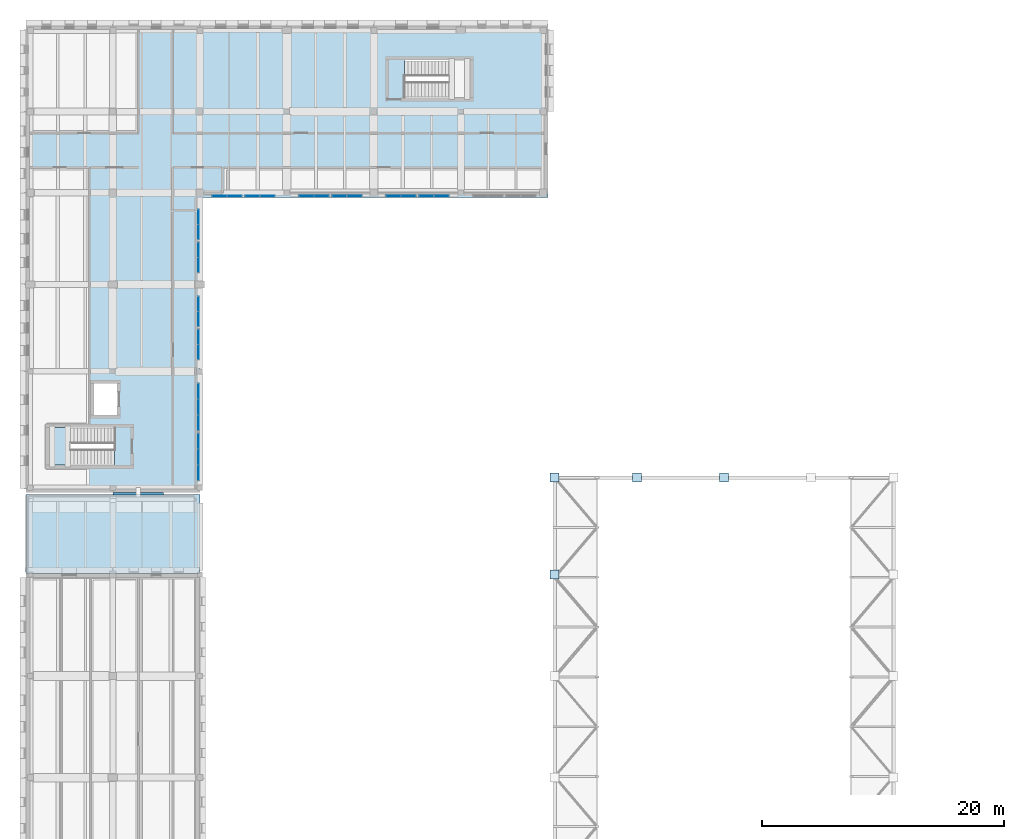
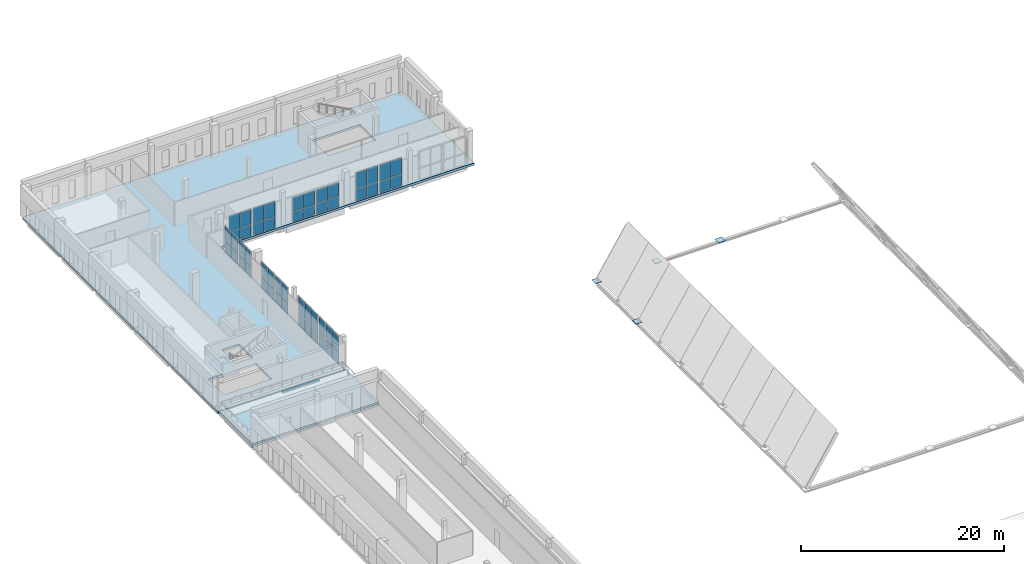
# One storey, part 31 of 56: 56 plates, 5 slabs, 13 elements without a shape of their own.
"""IFC4 building model written with IfcOpenShell, lengths in metres."""

from ifc_helpers import new_model, si_unit, direction, frame, origin, origin_2d, place, context, subcontext, project, spatial, polyline, rectangle, outline, extrude, material, layer, layer_set, type_object, element, aggregate, save


model = new_model("IFC4")

# Units and contexts
model_context = context("Model", 3, precision=1e-05, world=origin(), true_north=direction((0.0, 1.0)))
body_context = subcontext(model_context, "Body", "Model", "MODEL_VIEW")
ifc_project = project(units=[si_unit("LENGTHUNIT", "METRE"), si_unit("AREAUNIT", "SQUARE_METRE"), si_unit("VOLUMEUNIT", "CUBIC_METRE"), si_unit("PLANEANGLEUNIT", "RADIAN"), si_unit("MASSUNIT", "GRAM", prefix="KILO")], contexts=[model_context])

# Site, building, storey
site_placement = place(None, origin())
site = spatial("IfcSite", under=ifc_project, at=site_placement, CompositionType="ELEMENT")
building_placement = place(site_placement, origin())
building = spatial("IfcBuilding", under=site, at=building_placement, Name="Vardoun Plaza Health Centre", CompositionType="ELEMENT")
storey_placement = place(building_placement, frame((0.0, 0.0, 8.699951171875)))
storey = spatial("IfcBuildingStorey", under=building, at=storey_placement, Name="L02", CompositionType="ELEMENT", Elevation=8.699951171875)

# Curtain wall, plates
ifc_material_1 = material(Name="Aluminium Alloy EN AW-6063-T6 and Low-E Glass", Category="aluminium")
ifc_layer_1 = layer(ifc_material_1, 0.159912109375)
ifc_layer_set_1 = layer_set([ifc_layer_1], Name="Aluminium Alloy EN AW-6063-T6 and Low-E Glass")
curtain_wall_type = type_object("IfcCurtainWallType", Name="CW-02", PredefinedType="USERDEFINED", material=ifc_layer_set_1)
curtain_wall_1_placement = place(storey_placement, origin())
curtain_wall_1 = element("IfcCurtainWall", 1, at=curtain_wall_1_placement, inside=storey, type_object=curtain_wall_type, Name="Curtain Wall CW-V3-075", ObjectType="COURTYARD_CURTAIN_WALL", PredefinedType="USERDEFINED")
ifc_material_2 = material(Name="Solar-Control Double Low-E Glazing", Category="glass")
ifc_layer_2 = layer(ifc_material_2, 0.028076171875)
ifc_layer_set_2 = layer_set([ifc_layer_2], Name="Solar-Control Double Low-E Glazing")
plate_type_1 = type_object("IfcPlateType", Name="CW-P1", PredefinedType="CURTAIN_PANEL", material=ifc_layer_set_2)
plate_1_placement = place(storey_placement, frame((38.885009765625, 101.219970703125, 0.06005859375), z_axis=(0.0, 0.0, 1.0), x_axis=(-1.0, 0.0, 0.0)))
plate_1 = element("IfcPlate", 2, at=plate_1_placement, type_object=plate_type_1, Name="CW-V3-075 panel 1.1", PredefinedType="CURTAIN_PANEL", context=body_context, shape_type="SweptSolid", body=[
    extrude(rectangle(XDim=1.18994140625, YDim=0.028076171875, at=origin_2d()), origin(), (0.0, 0.0, 1.0), 1.367431640625),
])
plate_2_placement = place(storey_placement, frame((38.885009765625, 101.219970703125, 1.4873046875), z_axis=(0.0, 0.0, 1.0), x_axis=(-1.0, 0.0, 0.0)))
plate_2 = element("IfcPlate", 3, at=plate_2_placement, type_object=plate_type_1, Name="CW-V3-075 panel 1.2", PredefinedType="CURTAIN_PANEL", context=body_context, shape_type="SweptSolid", body=[
    extrude(rectangle(XDim=1.18994140625, YDim=0.028076171875, at=origin_2d()), origin(), (0.0, 0.0, 1.0), 1.922607421875),
])
plate_3_placement = place(storey_placement, frame((37.635009765625, 101.219970703125, 0.06005859375), z_axis=(0.0, 0.0, 1.0), x_axis=(-1.0, 0.0, 0.0)))
plate_3 = element("IfcPlate", 4, at=plate_3_placement, type_object=plate_type_1, Name="CW-V3-075 panel 2.1", PredefinedType="CURTAIN_PANEL", context=body_context, shape_type="SweptSolid", body=[
    extrude(rectangle(XDim=1.18994140625, YDim=0.028076171875, at=origin_2d()), origin(), (0.0, 0.0, 1.0), 1.367431640625),
])
plate_4_placement = place(storey_placement, frame((37.635009765625, 101.219970703125, 1.4873046875), z_axis=(0.0, 0.0, 1.0), x_axis=(-1.0, 0.0, 0.0)))
plate_4 = element("IfcPlate", 5, at=plate_4_placement, type_object=plate_type_1, Name="CW-V3-075 panel 2.2", PredefinedType="CURTAIN_PANEL", context=body_context, shape_type="SweptSolid", body=[
    extrude(rectangle(XDim=1.18994140625, YDim=0.028076171875, at=origin_2d()), origin(), (0.0, 0.0, 1.0), 1.922607421875),
])
aggregate(curtain_wall_1, [plate_1, plate_2, plate_3, plate_4])

curtain_wall_2_placement = place(storey_placement, origin())
curtain_wall_2 = element("IfcCurtainWall", 6, at=curtain_wall_2_placement, inside=storey, type_object=curtain_wall_type, Name="Curtain Wall CW-V3-076", ObjectType="COURTYARD_CURTAIN_WALL", PredefinedType="USERDEFINED")
plate_5_placement = place(storey_placement, frame((36.1650390625, 101.219970703125, 0.06005859375), z_axis=(0.0, 0.0, 1.0), x_axis=(-1.0, 0.0, 0.0)))
plate_5 = element("IfcPlate", 7, at=plate_5_placement, type_object=plate_type_1, Name="CW-V3-076 panel 1.1", PredefinedType="CURTAIN_PANEL", context=body_context, shape_type="SweptSolid", body=[
    extrude(rectangle(XDim=1.18994140625, YDim=0.028076171875, at=origin_2d()), origin(), (0.0, 0.0, 1.0), 1.367431640625),
])
plate_6_placement = place(storey_placement, frame((36.1650390625, 101.219970703125, 1.4873046875), z_axis=(0.0, 0.0, 1.0), x_axis=(-1.0, 0.0, 0.0)))
plate_6 = element("IfcPlate", 8, at=plate_6_placement, type_object=plate_type_1, Name="CW-V3-076 panel 1.2", PredefinedType="CURTAIN_PANEL", context=body_context, shape_type="SweptSolid", body=[
    extrude(rectangle(XDim=1.18994140625, YDim=0.028076171875, at=origin_2d()), origin(), (0.0, 0.0, 1.0), 1.922607421875),
])
plate_7_placement = place(storey_placement, frame((34.9150390625, 101.219970703125, 0.06005859375), z_axis=(0.0, 0.0, 1.0), x_axis=(-1.0, 0.0, 0.0)))
plate_7 = element("IfcPlate", 9, at=plate_7_placement, type_object=plate_type_1, Name="CW-V3-076 panel 2.1", PredefinedType="CURTAIN_PANEL", context=body_context, shape_type="SweptSolid", body=[
    extrude(rectangle(XDim=1.18994140625, YDim=0.028076171875, at=origin_2d()), origin(), (0.0, 0.0, 1.0), 1.367431640625),
])
plate_8_placement = place(storey_placement, frame((34.9150390625, 101.219970703125, 1.4873046875), z_axis=(0.0, 0.0, 1.0), x_axis=(-1.0, 0.0, 0.0)))
plate_8 = element("IfcPlate", 10, at=plate_8_placement, type_object=plate_type_1, Name="CW-V3-076 panel 2.2", PredefinedType="CURTAIN_PANEL", context=body_context, shape_type="SweptSolid", body=[
    extrude(rectangle(XDim=1.18994140625, YDim=0.028076171875, at=origin_2d()), origin(), (0.0, 0.0, 1.0), 1.922607421875),
])
aggregate(curtain_wall_2, [plate_5, plate_6, plate_7, plate_8])

curtain_wall_3_placement = place(storey_placement, origin())
curtain_wall_3 = element("IfcCurtainWall", 11, at=curtain_wall_3_placement, inside=storey, type_object=curtain_wall_type, Name="Curtain Wall CW-V3-077", ObjectType="COURTYARD_CURTAIN_WALL", PredefinedType="USERDEFINED")
plate_9_placement = place(storey_placement, frame((31.68505859375, 101.219970703125, 0.06005859375), z_axis=(0.0, 0.0, 1.0), x_axis=(-1.0, 0.0, 0.0)))
plate_9 = element("IfcPlate", 12, at=plate_9_placement, type_object=plate_type_1, Name="CW-V3-077 panel 1.1", PredefinedType="CURTAIN_PANEL", context=body_context, shape_type="SweptSolid", body=[
    extrude(rectangle(XDim=1.18994140625, YDim=0.028076171875, at=origin_2d()), origin(), (0.0, 0.0, 1.0), 1.157470703125),
])
plate_10_placement = place(storey_placement, frame((31.68505859375, 101.219970703125, 1.27734375), z_axis=(0.0, 0.0, 1.0), x_axis=(-1.0, 0.0, 0.0)))
plate_10 = element("IfcPlate", 13, at=plate_10_placement, type_object=plate_type_1, Name="CW-V3-077 panel 1.2", PredefinedType="CURTAIN_PANEL", context=body_context, shape_type="SweptSolid", body=[
    extrude(rectangle(XDim=1.18994140625, YDim=0.028076171875, at=origin_2d()), origin(), (0.0, 0.0, 1.0), 1.632568359375),
])
plate_11_placement = place(storey_placement, frame((30.43505859375, 101.219970703125, 0.06005859375), z_axis=(0.0, 0.0, 1.0), x_axis=(-1.0, 0.0, 0.0)))
plate_11 = element("IfcPlate", 14, at=plate_11_placement, type_object=plate_type_1, Name="CW-V3-077 panel 2.1", PredefinedType="CURTAIN_PANEL", context=body_context, shape_type="SweptSolid", body=[
    extrude(rectangle(XDim=1.18994140625, YDim=0.028076171875, at=origin_2d()), origin(), (0.0, 0.0, 1.0), 1.157470703125),
])
plate_12_placement = place(storey_placement, frame((30.43505859375, 101.219970703125, 1.27734375), z_axis=(0.0, 0.0, 1.0), x_axis=(-1.0, 0.0, 0.0)))
plate_12 = element("IfcPlate", 15, at=plate_12_placement, type_object=plate_type_1, Name="CW-V3-077 panel 2.2", PredefinedType="CURTAIN_PANEL", context=body_context, shape_type="SweptSolid", body=[
    extrude(rectangle(XDim=1.18994140625, YDim=0.028076171875, at=origin_2d()), origin(), (0.0, 0.0, 1.0), 1.632568359375),
])
aggregate(curtain_wall_3, [plate_9, plate_10, plate_11, plate_12])

curtain_wall_4_placement = place(storey_placement, origin())
curtain_wall_4 = element("IfcCurtainWall", 16, at=curtain_wall_4_placement, inside=storey, type_object=curtain_wall_type, Name="Curtain Wall CW-V3-078", ObjectType="COURTYARD_CURTAIN_WALL", PredefinedType="USERDEFINED")
plate_13_placement = place(storey_placement, frame((28.965087890625, 101.219970703125, 0.06005859375), z_axis=(0.0, 0.0, 1.0), x_axis=(-1.0, 0.0, 0.0)))
plate_13 = element("IfcPlate", 17, at=plate_13_placement, type_object=plate_type_1, Name="CW-V3-078 panel 1.1", PredefinedType="CURTAIN_PANEL", context=body_context, shape_type="SweptSolid", body=[
    extrude(rectangle(XDim=1.18994140625, YDim=0.028076171875, at=origin_2d()), origin(), (0.0, 0.0, 1.0), 1.157470703125),
])
plate_14_placement = place(storey_placement, frame((28.965087890625, 101.219970703125, 1.27734375), z_axis=(0.0, 0.0, 1.0), x_axis=(-1.0, 0.0, 0.0)))
plate_14 = element("IfcPlate", 18, at=plate_14_placement, type_object=plate_type_1, Name="CW-V3-078 panel 1.2", PredefinedType="CURTAIN_PANEL", context=body_context, shape_type="SweptSolid", body=[
    extrude(rectangle(XDim=1.18994140625, YDim=0.028076171875, at=origin_2d()), origin(), (0.0, 0.0, 1.0), 1.632568359375),
])
plate_15_placement = place(storey_placement, frame((27.715087890625, 101.219970703125, 0.06005859375), z_axis=(0.0, 0.0, 1.0), x_axis=(-1.0, 0.0, 0.0)))
plate_15 = element("IfcPlate", 19, at=plate_15_placement, type_object=plate_type_1, Name="CW-V3-078 panel 2.1", PredefinedType="CURTAIN_PANEL", context=body_context, shape_type="SweptSolid", body=[
    extrude(rectangle(XDim=1.18994140625, YDim=0.028076171875, at=origin_2d()), origin(), (0.0, 0.0, 1.0), 1.157470703125),
])
plate_16_placement = place(storey_placement, frame((27.715087890625, 101.219970703125, 1.27734375), z_axis=(0.0, 0.0, 1.0), x_axis=(-1.0, 0.0, 0.0)))
plate_16 = element("IfcPlate", 20, at=plate_16_placement, type_object=plate_type_1, Name="CW-V3-078 panel 2.2", PredefinedType="CURTAIN_PANEL", context=body_context, shape_type="SweptSolid", body=[
    extrude(rectangle(XDim=1.18994140625, YDim=0.028076171875, at=origin_2d()), origin(), (0.0, 0.0, 1.0), 1.632568359375),
])
aggregate(curtain_wall_4, [plate_13, plate_14, plate_15, plate_16])

curtain_wall_5_placement = place(storey_placement, origin())
curtain_wall_5 = element("IfcCurtainWall", 21, at=curtain_wall_5_placement, inside=storey, type_object=curtain_wall_type, Name="Curtain Wall CW-V3-079", ObjectType="COURTYARD_CURTAIN_WALL", PredefinedType="USERDEFINED")
plate_17_placement = place(storey_placement, frame((24.485107421875, 101.219970703125, 0.06005859375), z_axis=(0.0, 0.0, 1.0), x_axis=(-1.0, 0.0, 0.0)))
plate_17 = element("IfcPlate", 22, at=plate_17_placement, type_object=plate_type_1, Name="CW-V3-079 panel 1.1", PredefinedType="CURTAIN_PANEL", context=body_context, shape_type="SweptSolid", body=[
    extrude(rectangle(XDim=1.18994140625, YDim=0.028076171875, at=origin_2d()), origin(), (0.0, 0.0, 1.0), 1.283447265625),
])
plate_18_placement = place(storey_placement, frame((24.485107421875, 101.219970703125, 1.4033203125), z_axis=(0.0, 0.0, 1.0), x_axis=(-1.0, 0.0, 0.0)))
plate_18 = element("IfcPlate", 23, at=plate_18_placement, type_object=plate_type_1, Name="CW-V3-079 panel 1.2", PredefinedType="CURTAIN_PANEL", context=body_context, shape_type="SweptSolid", body=[
    extrude(rectangle(XDim=1.18994140625, YDim=0.028076171875, at=origin_2d()), origin(), (0.0, 0.0, 1.0), 1.806640625),
])
plate_19_placement = place(storey_placement, frame((23.235107421875, 101.219970703125, 0.06005859375), z_axis=(0.0, 0.0, 1.0), x_axis=(-1.0, 0.0, 0.0)))
plate_19 = element("IfcPlate", 24, at=plate_19_placement, type_object=plate_type_1, Name="CW-V3-079 panel 2.1", PredefinedType="CURTAIN_PANEL", context=body_context, shape_type="SweptSolid", body=[
    extrude(rectangle(XDim=1.18994140625, YDim=0.028076171875, at=origin_2d()), origin(), (0.0, 0.0, 1.0), 1.283447265625),
])
plate_20_placement = place(storey_placement, frame((23.235107421875, 101.219970703125, 1.4033203125), z_axis=(0.0, 0.0, 1.0), x_axis=(-1.0, 0.0, 0.0)))
plate_20 = element("IfcPlate", 25, at=plate_20_placement, type_object=plate_type_1, Name="CW-V3-079 panel 2.2", PredefinedType="CURTAIN_PANEL", context=body_context, shape_type="SweptSolid", body=[
    extrude(rectangle(XDim=1.18994140625, YDim=0.028076171875, at=origin_2d()), origin(), (0.0, 0.0, 1.0), 1.806640625),
])
aggregate(curtain_wall_5, [plate_17, plate_18, plate_19, plate_20])

curtain_wall_6_placement = place(storey_placement, origin())
curtain_wall_6 = element("IfcCurtainWall", 26, at=curtain_wall_6_placement, inside=storey, type_object=curtain_wall_type, Name="Curtain Wall CW-V3-080", ObjectType="COURTYARD_CURTAIN_WALL", PredefinedType="USERDEFINED")
plate_21_placement = place(storey_placement, frame((21.764892578125, 101.219970703125, 0.06005859375), z_axis=(0.0, 0.0, 1.0), x_axis=(-1.0, 0.0, 0.0)))
plate_21 = element("IfcPlate", 27, at=plate_21_placement, type_object=plate_type_1, Name="CW-V3-080 panel 1.1", PredefinedType="CURTAIN_PANEL", context=body_context, shape_type="SweptSolid", body=[
    extrude(rectangle(XDim=1.18994140625, YDim=0.028076171875, at=origin_2d()), origin(), (0.0, 0.0, 1.0), 1.283447265625),
])
plate_22_placement = place(storey_placement, frame((21.764892578125, 101.219970703125, 1.4033203125), z_axis=(0.0, 0.0, 1.0), x_axis=(-1.0, 0.0, 0.0)))
plate_22 = element("IfcPlate", 28, at=plate_22_placement, type_object=plate_type_1, Name="CW-V3-080 panel 1.2", PredefinedType="CURTAIN_PANEL", context=body_context, shape_type="SweptSolid", body=[
    extrude(rectangle(XDim=1.18994140625, YDim=0.028076171875, at=origin_2d()), origin(), (0.0, 0.0, 1.0), 1.806640625),
])
plate_23_placement = place(storey_placement, frame((20.514892578125, 101.219970703125, 0.06005859375), z_axis=(0.0, 0.0, 1.0), x_axis=(-1.0, 0.0, 0.0)))
plate_23 = element("IfcPlate", 29, at=plate_23_placement, type_object=plate_type_1, Name="CW-V3-080 panel 2.1", PredefinedType="CURTAIN_PANEL", context=body_context, shape_type="SweptSolid", body=[
    extrude(rectangle(XDim=1.18994140625, YDim=0.028076171875, at=origin_2d()), origin(), (0.0, 0.0, 1.0), 1.283447265625),
])
plate_24_placement = place(storey_placement, frame((20.514892578125, 101.219970703125, 1.4033203125), z_axis=(0.0, 0.0, 1.0), x_axis=(-1.0, 0.0, 0.0)))
plate_24 = element("IfcPlate", 30, at=plate_24_placement, type_object=plate_type_1, Name="CW-V3-080 panel 2.2", PredefinedType="CURTAIN_PANEL", context=body_context, shape_type="SweptSolid", body=[
    extrude(rectangle(XDim=1.18994140625, YDim=0.028076171875, at=origin_2d()), origin(), (0.0, 0.0, 1.0), 1.806640625),
])
aggregate(curtain_wall_6, [plate_21, plate_22, plate_23, plate_24])

curtain_wall_7_placement = place(storey_placement, origin())
curtain_wall_7 = element("IfcCurtainWall", 31, at=curtain_wall_7_placement, inside=storey, type_object=curtain_wall_type, Name="Curtain Wall CW-V3-081", ObjectType="COURTYARD_CURTAIN_WALL", PredefinedType="USERDEFINED")
plate_25_placement = place(storey_placement, frame((18.780029296875, 99.485107421875, 0.06005859375), z_axis=(0.0, 0.0, 1.0), x_axis=(0.0, -1.0, 0.0)))
plate_25 = element("IfcPlate", 32, at=plate_25_placement, type_object=plate_type_1, Name="CW-V3-081 panel 1.1", PredefinedType="CURTAIN_PANEL", context=body_context, shape_type="SweptSolid", body=[
    extrude(rectangle(XDim=1.18994140625, YDim=0.028076171875, at=origin_2d()), origin(), (0.0, 0.0, 1.0), 1.25390625),
])
plate_26_placement = place(storey_placement, frame((18.780029296875, 99.485107421875, 1.3740234375), z_axis=(0.0, 0.0, 1.0), x_axis=(0.0, -1.0, 0.0)))
plate_26 = element("IfcPlate", 33, at=plate_26_placement, type_object=plate_type_1, Name="CW-V3-081 panel 1.2", PredefinedType="CURTAIN_PANEL", context=body_context, shape_type="SweptSolid", body=[
    extrude(rectangle(XDim=1.18994140625, YDim=0.028076171875, at=origin_2d()), origin(), (0.0, 0.0, 1.0), 1.76611328125),
])
plate_27_placement = place(storey_placement, frame((18.780029296875, 98.235107421875, 0.06005859375), z_axis=(0.0, 0.0, 1.0), x_axis=(0.0, -1.0, 0.0)))
plate_27 = element("IfcPlate", 34, at=plate_27_placement, type_object=plate_type_1, Name="CW-V3-081 panel 2.1", PredefinedType="CURTAIN_PANEL", context=body_context, shape_type="SweptSolid", body=[
    extrude(rectangle(XDim=1.18994140625, YDim=0.028076171875, at=origin_2d()), origin(), (0.0, 0.0, 1.0), 1.25390625),
])
plate_28_placement = place(storey_placement, frame((18.780029296875, 98.235107421875, 1.3740234375), z_axis=(0.0, 0.0, 1.0), x_axis=(0.0, -1.0, 0.0)))
plate_28 = element("IfcPlate", 35, at=plate_28_placement, type_object=plate_type_1, Name="CW-V3-081 panel 2.2", PredefinedType="CURTAIN_PANEL", context=body_context, shape_type="SweptSolid", body=[
    extrude(rectangle(XDim=1.18994140625, YDim=0.028076171875, at=origin_2d()), origin(), (0.0, 0.0, 1.0), 1.76611328125),
])
aggregate(curtain_wall_7, [plate_25, plate_26, plate_27, plate_28])

curtain_wall_8_placement = place(storey_placement, origin())
curtain_wall_8 = element("IfcCurtainWall", 36, at=curtain_wall_8_placement, inside=storey, type_object=curtain_wall_type, Name="Curtain Wall CW-V3-082", ObjectType="COURTYARD_CURTAIN_WALL", PredefinedType="USERDEFINED")
plate_29_placement = place(storey_placement, frame((18.780029296875, 96.764892578125, 0.06005859375), z_axis=(0.0, 0.0, 1.0), x_axis=(0.0, -1.0, 0.0)))
plate_29 = element("IfcPlate", 37, at=plate_29_placement, type_object=plate_type_1, Name="CW-V3-082 panel 1.1", PredefinedType="CURTAIN_PANEL", context=body_context, shape_type="SweptSolid", body=[
    extrude(rectangle(XDim=1.18994140625, YDim=0.028076171875, at=origin_2d()), origin(), (0.0, 0.0, 1.0), 1.25390625),
])
plate_30_placement = place(storey_placement, frame((18.780029296875, 96.764892578125, 1.3740234375), z_axis=(0.0, 0.0, 1.0), x_axis=(0.0, -1.0, 0.0)))
plate_30 = element("IfcPlate", 38, at=plate_30_placement, type_object=plate_type_1, Name="CW-V3-082 panel 1.2", PredefinedType="CURTAIN_PANEL", context=body_context, shape_type="SweptSolid", body=[
    extrude(rectangle(XDim=1.18994140625, YDim=0.028076171875, at=origin_2d()), origin(), (0.0, 0.0, 1.0), 1.76611328125),
])
plate_31_placement = place(storey_placement, frame((18.780029296875, 95.514892578125, 0.06005859375), z_axis=(0.0, 0.0, 1.0), x_axis=(0.0, -1.0, 0.0)))
plate_31 = element("IfcPlate", 39, at=plate_31_placement, type_object=plate_type_1, Name="CW-V3-082 panel 2.1", PredefinedType="CURTAIN_PANEL", context=body_context, shape_type="SweptSolid", body=[
    extrude(rectangle(XDim=1.18994140625, YDim=0.028076171875, at=origin_2d()), origin(), (0.0, 0.0, 1.0), 1.25390625),
])
plate_32_placement = place(storey_placement, frame((18.780029296875, 95.514892578125, 1.3740234375), z_axis=(0.0, 0.0, 1.0), x_axis=(0.0, -1.0, 0.0)))
plate_32 = element("IfcPlate", 40, at=plate_32_placement, type_object=plate_type_1, Name="CW-V3-082 panel 2.2", PredefinedType="CURTAIN_PANEL", context=body_context, shape_type="SweptSolid", body=[
    extrude(rectangle(XDim=1.18994140625, YDim=0.028076171875, at=origin_2d()), origin(), (0.0, 0.0, 1.0), 1.76611328125),
])
aggregate(curtain_wall_8, [plate_29, plate_30, plate_31, plate_32])

curtain_wall_9_placement = place(storey_placement, origin())
curtain_wall_9 = element("IfcCurtainWall", 41, at=curtain_wall_9_placement, inside=storey, type_object=curtain_wall_type, Name="Curtain Wall CW-V3-083", ObjectType="COURTYARD_CURTAIN_WALL", PredefinedType="USERDEFINED")
plate_33_placement = place(storey_placement, frame((18.780029296875, 92.284912109375, 0.06005859375), z_axis=(0.0, 0.0, 1.0), x_axis=(0.0, -1.0, 0.0)))
plate_33 = element("IfcPlate", 42, at=plate_33_placement, type_object=plate_type_1, Name="CW-V3-083 panel 1.1", PredefinedType="CURTAIN_PANEL", context=body_context, shape_type="SweptSolid", body=[
    extrude(rectangle(XDim=1.18994140625, YDim=0.028076171875, at=origin_2d()), origin(), (0.0, 0.0, 1.0), 1.283447265625),
])
plate_34_placement = place(storey_placement, frame((18.780029296875, 92.284912109375, 1.4033203125), z_axis=(0.0, 0.0, 1.0), x_axis=(0.0, -1.0, 0.0)))
plate_34 = element("IfcPlate", 43, at=plate_34_placement, type_object=plate_type_1, Name="CW-V3-083 panel 1.2", PredefinedType="CURTAIN_PANEL", context=body_context, shape_type="SweptSolid", body=[
    extrude(rectangle(XDim=1.18994140625, YDim=0.028076171875, at=origin_2d()), origin(), (0.0, 0.0, 1.0), 1.806640625),
])
plate_35_placement = place(storey_placement, frame((18.780029296875, 91.034912109375, 0.06005859375), z_axis=(0.0, 0.0, 1.0), x_axis=(0.0, -1.0, 0.0)))
plate_35 = element("IfcPlate", 44, at=plate_35_placement, type_object=plate_type_1, Name="CW-V3-083 panel 2.1", PredefinedType="CURTAIN_PANEL", context=body_context, shape_type="SweptSolid", body=[
    extrude(rectangle(XDim=1.18994140625, YDim=0.028076171875, at=origin_2d()), origin(), (0.0, 0.0, 1.0), 1.283447265625),
])
plate_36_placement = place(storey_placement, frame((18.780029296875, 91.034912109375, 1.4033203125), z_axis=(0.0, 0.0, 1.0), x_axis=(0.0, -1.0, 0.0)))
plate_36 = element("IfcPlate", 45, at=plate_36_placement, type_object=plate_type_1, Name="CW-V3-083 panel 2.2", PredefinedType="CURTAIN_PANEL", context=body_context, shape_type="SweptSolid", body=[
    extrude(rectangle(XDim=1.18994140625, YDim=0.028076171875, at=origin_2d()), origin(), (0.0, 0.0, 1.0), 1.806640625),
])
aggregate(curtain_wall_9, [plate_33, plate_34, plate_35, plate_36])

curtain_wall_10_placement = place(storey_placement, origin())
curtain_wall_10 = element("IfcCurtainWall", 46, at=curtain_wall_10_placement, inside=storey, type_object=curtain_wall_type, Name="Curtain Wall CW-V3-084", ObjectType="COURTYARD_CURTAIN_WALL", PredefinedType="USERDEFINED")
plate_37_placement = place(storey_placement, frame((18.780029296875, 89.56494140625, 0.06005859375), z_axis=(0.0, 0.0, 1.0), x_axis=(0.0, -1.0, 0.0)))
plate_37 = element("IfcPlate", 47, at=plate_37_placement, type_object=plate_type_1, Name="CW-V3-084 panel 1.1", PredefinedType="CURTAIN_PANEL", context=body_context, shape_type="SweptSolid", body=[
    extrude(rectangle(XDim=1.18994140625, YDim=0.028076171875, at=origin_2d()), origin(), (0.0, 0.0, 1.0), 1.283447265625),
])
plate_38_placement = place(storey_placement, frame((18.780029296875, 89.56494140625, 1.4033203125), z_axis=(0.0, 0.0, 1.0), x_axis=(0.0, -1.0, 0.0)))
plate_38 = element("IfcPlate", 48, at=plate_38_placement, type_object=plate_type_1, Name="CW-V3-084 panel 1.2", PredefinedType="CURTAIN_PANEL", context=body_context, shape_type="SweptSolid", body=[
    extrude(rectangle(XDim=1.18994140625, YDim=0.028076171875, at=origin_2d()), origin(), (0.0, 0.0, 1.0), 1.806640625),
])
plate_39_placement = place(storey_placement, frame((18.780029296875, 88.31494140625, 0.06005859375), z_axis=(0.0, 0.0, 1.0), x_axis=(0.0, -1.0, 0.0)))
plate_39 = element("IfcPlate", 49, at=plate_39_placement, type_object=plate_type_1, Name="CW-V3-084 panel 2.1", PredefinedType="CURTAIN_PANEL", context=body_context, shape_type="SweptSolid", body=[
    extrude(rectangle(XDim=1.18994140625, YDim=0.028076171875, at=origin_2d()), origin(), (0.0, 0.0, 1.0), 1.283447265625),
])
plate_40_placement = place(storey_placement, frame((18.780029296875, 88.31494140625, 1.4033203125), z_axis=(0.0, 0.0, 1.0), x_axis=(0.0, -1.0, 0.0)))
plate_40 = element("IfcPlate", 50, at=plate_40_placement, type_object=plate_type_1, Name="CW-V3-084 panel 2.2", PredefinedType="CURTAIN_PANEL", context=body_context, shape_type="SweptSolid", body=[
    extrude(rectangle(XDim=1.18994140625, YDim=0.028076171875, at=origin_2d()), origin(), (0.0, 0.0, 1.0), 1.806640625),
])
aggregate(curtain_wall_10, [plate_37, plate_38, plate_39, plate_40])

curtain_wall_11_placement = place(storey_placement, origin())
curtain_wall_11 = element("IfcCurtainWall", 51, at=curtain_wall_11_placement, inside=storey, type_object=curtain_wall_type, Name="Curtain Wall CW-V3-085", ObjectType="COURTYARD_CURTAIN_WALL", PredefinedType="USERDEFINED")
plate_41_placement = place(storey_placement, frame((18.780029296875, 85.063232421875, 0.06005859375), z_axis=(0.0, 0.0, 1.0), x_axis=(0.0, -1.0, 0.0)))
plate_41 = element("IfcPlate", 52, at=plate_41_placement, type_object=plate_type_1, Name="CW-V3-085 panel 1.1", PredefinedType="CURTAIN_PANEL", context=body_context, shape_type="SweptSolid", body=[
    extrude(rectangle(XDim=1.2333984375, YDim=0.028076171875, at=origin_2d()), origin(), (0.0, 0.0, 1.0), 1.396728515625),
])
plate_42_placement = place(storey_placement, frame((18.780029296875, 85.063232421875, 1.51708984375), z_axis=(0.0, 0.0, 1.0), x_axis=(0.0, -1.0, 0.0)))
plate_42 = element("IfcPlate", 53, at=plate_42_placement, type_object=plate_type_1, Name="CW-V3-085 panel 1.2", PredefinedType="CURTAIN_PANEL", context=body_context, shape_type="SweptSolid", body=[
    extrude(rectangle(XDim=1.2333984375, YDim=0.028076171875, at=origin_2d()), origin(), (0.0, 0.0, 1.0), 1.963134765625),
])
plate_43_placement = place(storey_placement, frame((18.780029296875, 83.7548828125, 0.06005859375), z_axis=(0.0, 0.0, 1.0), x_axis=(0.0, -1.0, 0.0)))
plate_43 = element("IfcPlate", 54, at=plate_43_placement, type_object=plate_type_1, Name="CW-V3-085 panel 2.1", PredefinedType="CURTAIN_PANEL", context=body_context, shape_type="SweptSolid", body=[
    extrude(rectangle(XDim=1.263427734375, YDim=0.028076171875, at=origin_2d()), origin(), (0.0, 0.0, 1.0), 1.396728515625),
])
plate_44_placement = place(storey_placement, frame((18.780029296875, 83.7548828125, 1.51708984375), z_axis=(0.0, 0.0, 1.0), x_axis=(0.0, -1.0, 0.0)))
plate_44 = element("IfcPlate", 55, at=plate_44_placement, type_object=plate_type_1, Name="CW-V3-085 panel 2.2", PredefinedType="CURTAIN_PANEL", context=body_context, shape_type="SweptSolid", body=[
    extrude(rectangle(XDim=1.263427734375, YDim=0.028076171875, at=origin_2d()), origin(), (0.0, 0.0, 1.0), 1.963134765625),
])
plate_45_placement = place(storey_placement, frame((18.780029296875, 82.44677734375, 0.06005859375), z_axis=(0.0, 0.0, 1.0), x_axis=(0.0, -1.0, 0.0)))
plate_45 = element("IfcPlate", 56, at=plate_45_placement, type_object=plate_type_1, Name="CW-V3-085 panel 3.1", PredefinedType="CURTAIN_PANEL", context=body_context, shape_type="SweptSolid", body=[
    extrude(rectangle(XDim=1.2333984375, YDim=0.028076171875, at=origin_2d()), origin(), (0.0, 0.0, 1.0), 1.396728515625),
])
plate_46_placement = place(storey_placement, frame((18.780029296875, 82.44677734375, 1.51708984375), z_axis=(0.0, 0.0, 1.0), x_axis=(0.0, -1.0, 0.0)))
plate_46 = element("IfcPlate", 57, at=plate_46_placement, type_object=plate_type_1, Name="CW-V3-085 panel 3.2", PredefinedType="CURTAIN_PANEL", context=body_context, shape_type="SweptSolid", body=[
    extrude(rectangle(XDim=1.2333984375, YDim=0.028076171875, at=origin_2d()), origin(), (0.0, 0.0, 1.0), 1.963134765625),
])
aggregate(curtain_wall_11, [plate_41, plate_42, plate_43, plate_44, plate_45, plate_46])

curtain_wall_12_placement = place(storey_placement, origin())
curtain_wall_12 = element("IfcCurtainWall", 58, at=curtain_wall_12_placement, inside=storey, type_object=curtain_wall_type, Name="Curtain Wall CW-V3-086", ObjectType="COURTYARD_CURTAIN_WALL", PredefinedType="USERDEFINED")
plate_47_placement = place(storey_placement, frame((18.780029296875, 80.933349609375, 0.06005859375), z_axis=(0.0, 0.0, 1.0), x_axis=(0.0, -1.0, 0.0)))
plate_47 = element("IfcPlate", 59, at=plate_47_placement, type_object=plate_type_1, Name="CW-V3-086 panel 1.1", PredefinedType="CURTAIN_PANEL", context=body_context, shape_type="SweptSolid", body=[
    extrude(rectangle(XDim=1.2333984375, YDim=0.028076171875, at=origin_2d()), origin(), (0.0, 0.0, 1.0), 1.396728515625),
])
plate_48_placement = place(storey_placement, frame((18.780029296875, 80.933349609375, 1.51708984375), z_axis=(0.0, 0.0, 1.0), x_axis=(0.0, -1.0, 0.0)))
plate_48 = element("IfcPlate", 60, at=plate_48_placement, type_object=plate_type_1, Name="CW-V3-086 panel 1.2", PredefinedType="CURTAIN_PANEL", context=body_context, shape_type="SweptSolid", body=[
    extrude(rectangle(XDim=1.2333984375, YDim=0.028076171875, at=origin_2d()), origin(), (0.0, 0.0, 1.0), 1.963134765625),
])
plate_49_placement = place(storey_placement, frame((18.780029296875, 79.625, 0.06005859375), z_axis=(0.0, 0.0, 1.0), x_axis=(0.0, -1.0, 0.0)))
plate_49 = element("IfcPlate", 61, at=plate_49_placement, type_object=plate_type_1, Name="CW-V3-086 panel 2.1", PredefinedType="CURTAIN_PANEL", context=body_context, shape_type="SweptSolid", body=[
    extrude(rectangle(XDim=1.263427734375, YDim=0.028076171875, at=origin_2d()), origin(), (0.0, 0.0, 1.0), 1.396728515625),
])
plate_50_placement = place(storey_placement, frame((18.780029296875, 79.625, 1.51708984375), z_axis=(0.0, 0.0, 1.0), x_axis=(0.0, -1.0, 0.0)))
plate_50 = element("IfcPlate", 62, at=plate_50_placement, type_object=plate_type_1, Name="CW-V3-086 panel 2.2", PredefinedType="CURTAIN_PANEL", context=body_context, shape_type="SweptSolid", body=[
    extrude(rectangle(XDim=1.263427734375, YDim=0.028076171875, at=origin_2d()), origin(), (0.0, 0.0, 1.0), 1.963134765625),
])
plate_51_placement = place(storey_placement, frame((18.780029296875, 78.316650390625, 0.06005859375), z_axis=(0.0, 0.0, 1.0), x_axis=(0.0, -1.0, 0.0)))
plate_51 = element("IfcPlate", 63, at=plate_51_placement, type_object=plate_type_1, Name="CW-V3-086 panel 3.1", PredefinedType="CURTAIN_PANEL", context=body_context, shape_type="SweptSolid", body=[
    extrude(rectangle(XDim=1.2333984375, YDim=0.028076171875, at=origin_2d()), origin(), (0.0, 0.0, 1.0), 1.396728515625),
])
plate_52_placement = place(storey_placement, frame((18.780029296875, 78.316650390625, 1.51708984375), z_axis=(0.0, 0.0, 1.0), x_axis=(0.0, -1.0, 0.0)))
plate_52 = element("IfcPlate", 64, at=plate_52_placement, type_object=plate_type_1, Name="CW-V3-086 panel 3.2", PredefinedType="CURTAIN_PANEL", context=body_context, shape_type="SweptSolid", body=[
    extrude(rectangle(XDim=1.2333984375, YDim=0.028076171875, at=origin_2d()), origin(), (0.0, 0.0, 1.0), 1.963134765625),
])
aggregate(curtain_wall_12, [plate_47, plate_48, plate_49, plate_50, plate_51, plate_52])

# Stair, slab
ifc_material_3 = material(Name="Concrete C35/45", Category="concrete")
stair_type = type_object("IfcStairType", Name="ST-01", PredefinedType="HALF_TURN_STAIR", material=ifc_material_3)
stair_placement = place(storey_placement, origin())
stair = element("IfcStair", 65, at=stair_placement, inside=storey, type_object=stair_type, Name="Core C3 L02 Exit Stair ST-C3-L02", PredefinedType="HALF_TURN_STAIR")
ifc_material_4 = material(Name="Concrete C35/45", Category="concrete")
ifc_layer_3 = layer(ifc_material_4, 0.199951171875)
ifc_layer_set_3 = layer_set([ifc_layer_3], Name="Concrete C35/45")
slab_type_1 = type_object("IfcSlabType", Name="SL-LD", PredefinedType="LANDING", material=ifc_layer_set_3)
slab_1_placement = place(storey_placement, frame((0.0, 0.0, 1.900146484375)))
slab_1 = element("IfcSlab", 66, at=slab_1_placement, type_object=slab_type_1, Name="ST-C3-L02 landing 1", PredefinedType="LANDING", context=body_context, shape_type="SweptSolid", body=[
    extrude(outline(polyline([(6.449951171875, 78.949951171875), (8.210693359375, 78.949951171875), (8.210693359375, 82.050048828125), (6.449951171875, 82.050048828125), (6.449951171875, 78.949951171875)])), origin(), (0.0, 0.0, 1.0), 0.199951171875),
])
aggregate(stair, [slab_1])

# Plates
ifc_material_5 = material(Name="Steel S355J2", Category="steel")
ifc_layer_4 = layer(ifc_material_5, 0.044921875)
ifc_layer_set_4 = layer_set([ifc_layer_4], Name="Steel S355J2")
plate_type_2 = type_object("IfcPlateType", Name="BP-02", PredefinedType="SHEET", material=ifc_layer_set_4)
for number, where, z_axis, x_axis, name in (
    (67, (48.260009765625, 69.89990234375, -0.344970703125), (0.0, 0.0, 1.0), (1.0, 0.0, 0.0), "Gridshell Ring Base Plate 5"),
    (68, (48.260009765625, 77.919921875, -0.344970703125), (0.0, 0.0, 1.0), (1.0, 0.0, 0.0), "Gridshell Ring Base Plate 6"),
    (69, (55.080078125, 77.919921875, -0.344970703125), (0.0, 0.0, 1.0), (1.0, 0.0, 0.0), "Gridshell Ring Base Plate 8"),
    (70, (62.280029296875, 77.919921875, -0.344970703125), (0.0, 0.0, 1.0), (1.0, 0.0, 0.0), "Gridshell Ring Base Plate 10"),
):
    element("IfcPlate", number, at=place(storey_placement, frame(where, z_axis=z_axis, x_axis=x_axis)), inside=storey, type_object=plate_type_2, Name=name, PredefinedType="SHEET", context=body_context, shape_type="SweptSolid", body=[
        extrude(rectangle(XDim=0.75, YDim=0.75, at=origin_2d()), origin(), (0.0, 0.0, 1.0), 0.044921875),
    ])

# Slabs
ifc_material_6 = material(Name="Pale Limestone Concrete C35/45", Category="masonry")
ifc_layer_5 = layer(ifc_material_6, 0.239990234375)
ifc_layer_set_5 = layer_set([ifc_layer_5], Name="Pale Limestone Concrete C35/45")
slab_type_2 = type_object("IfcSlabType", Name="RF-01", PredefinedType="ROOF", material=ifc_layer_set_5)
slab_2_placement = place(storey_placement, frame((0.0, 0.0, -0.280029296875)))
element("IfcSlab", 71, at=slab_2_placement, inside=storey, type_object=slab_type_2, Name="V2 L02 Step-Back Structural Roof Slab 1", PredefinedType="ROOF", context=body_context, shape_type="SweptSolid", body=[
    extrude(outline(polyline([(4.5, 70.0), (18.89990234375, 70.0), (18.89990234375, 76.5), (4.5, 76.5), (4.5, 70.0)])), origin(), (0.0, 0.0, 1.0), 0.280029296875),
])
ifc_material_7 = material(Name="Concrete C35/45", Category="concrete")
ifc_layer_6 = layer(ifc_material_7, 0.219970703125)
ifc_layer_set_6 = layer_set([ifc_layer_6], Name="Concrete C35/45")
slab_type_3 = type_object("IfcSlabType", Name="SL-06", PredefinedType="FLOOR", material=ifc_layer_set_6)
slab_3_placement = place(storey_placement, frame((0.0, 0.0, -0.219970703125)))
element("IfcSlab", 72, at=slab_3_placement, inside=storey, type_object=slab_type_3, Name="Seismic Link Bridge BR-02 Deck", PredefinedType="FLOOR", context=body_context, shape_type="SweptSolid", body=[
    extrude(outline(polyline([(11.699951171875, 76.47998046875), (15.89990234375, 76.47998046875), (15.89990234375, 76.699951171875), (11.699951171875, 76.699951171875), (11.699951171875, 76.47998046875)])), origin(), (0.0, 0.0, 1.0), 0.219970703125),
])
ifc_material_8 = material(Name="Concrete C35/45", Category="concrete")
ifc_layer_7 = layer(ifc_material_8, 0.264892578125)
ifc_layer_set_7 = layer_set([ifc_layer_7], Name="Concrete C35/45")
slab_type_4 = type_object("IfcSlabType", Name="SL-02", PredefinedType="FLOOR", material=ifc_layer_set_7)
slab_4_placement = place(storey_placement, frame((0.0, 0.0, -0.264892578125)))
element("IfcSlab", 73, at=slab_4_placement, inside=storey, type_object=slab_type_4, Name="V3 L02 Structural Slab", PredefinedType="FLOOR", context=body_context, shape_type="SweptSolid", body=[
    extrude(outline(polyline([(4.5, 76.679931640625), (18.89990234375, 76.679931640625), (18.89990234375, 101.10009765625), (47.699951171875, 101.10009765625), (47.699951171875, 115.300048828125), (4.5, 115.300048828125), (4.5, 76.679931640625)]), holes=[polyline([(6.449951171875, 78.949951171875), (11.849365234375, 78.949951171875), (11.849365234375, 82.050048828125), (6.449951171875, 82.050048828125), (6.449951171875, 78.949951171875)]), polyline([(10.1201171875, 83.070068359375), (12.080078125, 83.070068359375), (12.080078125, 85.72998046875), (10.1201171875, 85.72998046875), (10.1201171875, 83.070068359375)]), polyline([(35.8505859375, 109.35009765625), (41.25, 109.35009765625), (41.25, 112.449951171875), (35.8505859375, 112.449951171875), (35.8505859375, 109.35009765625)])]), origin(), (0.0, 0.0, 1.0), 0.264892578125),
])
ifc_material_9 = material(Name="Pale Limestone Concrete C35/45", Category="masonry")
ifc_layer_8 = layer(ifc_material_9, 0.18994140625)
ifc_layer_set_8 = layer_set([ifc_layer_8], Name="Pale Limestone Concrete C35/45")
slab_type_5 = type_object("IfcSlabType", Name="SL-T1", PredefinedType="FLOOR", material=ifc_layer_set_8)
slab_5_placement = place(storey_placement, origin())
element("IfcSlab", 74, at=slab_5_placement, inside=storey, type_object=slab_type_5, Name="V2 L02 Planted Roof-Garden Terrace 1", PredefinedType="FLOOR", context=body_context, shape_type="SweptSolid", body=[
    extrude(outline(polyline([(4.5, 70.0), (18.89990234375, 70.0), (18.89990234375, 76.5), (4.5, 76.5), (4.5, 70.0)])), origin(), (0.0, 0.0, 1.0), 0.18994140625),
])

save(model, "model.ifc")
